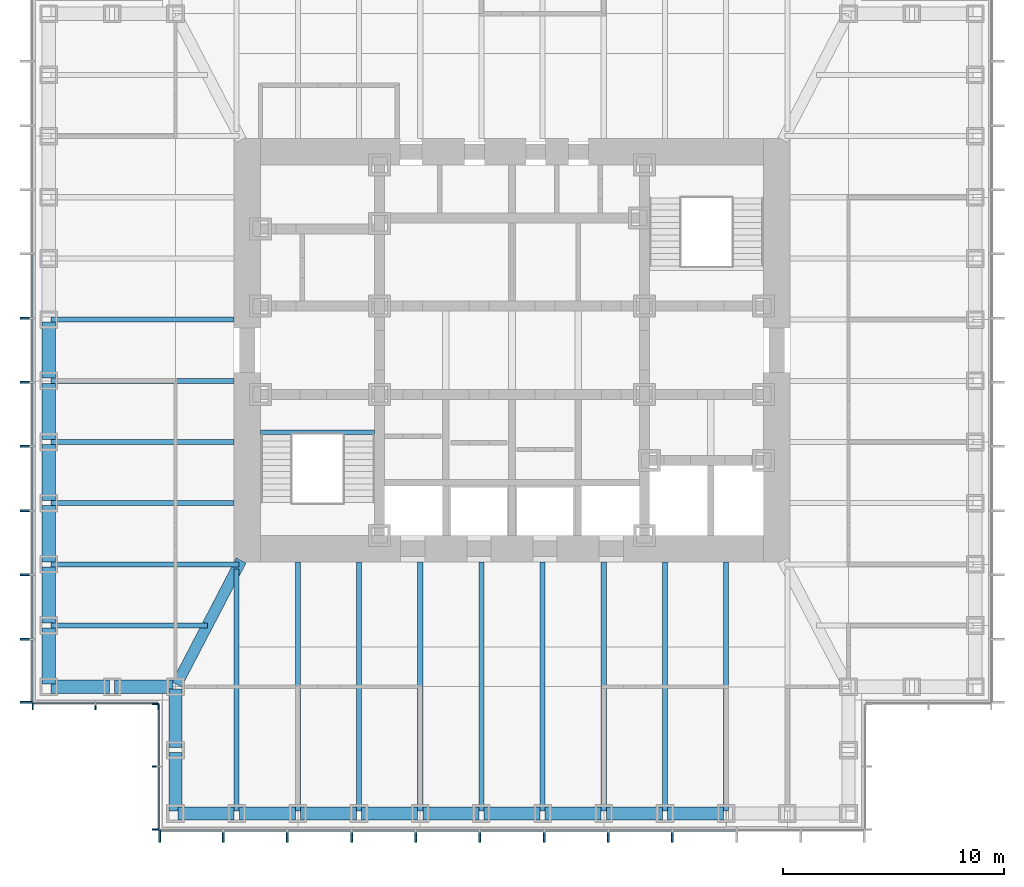
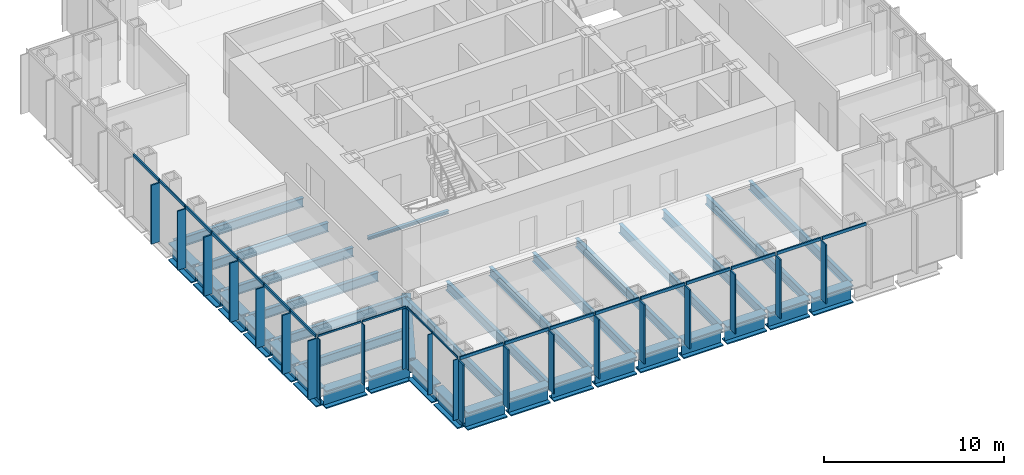
# One storey, part 2 of 16: 42 members, 36 beams, 4 elements without a shape of their own.
"""IFC4 building model written with IfcOpenShell, lengths in metres."""

from ifc_helpers import new_model, si_unit, direction, frame, origin, origin_2d, place, context, subcontext, project, spatial, rectangle, i_section, extrude, material, material_profile, profile_set, type_object, element, aggregate, save


model = new_model("IFC4")

# Units and contexts
model_context = context("Model", 3, precision=1e-05, world=origin(), true_north=direction((0.0, 1.0)))
body_context = subcontext(model_context, "Body", "Model", "MODEL_VIEW")
ifc_project = project(units=[si_unit("LENGTHUNIT", "METRE"), si_unit("AREAUNIT", "SQUARE_METRE"), si_unit("VOLUMEUNIT", "CUBIC_METRE"), si_unit("PLANEANGLEUNIT", "RADIAN"), si_unit("MASSUNIT", "GRAM", prefix="KILO")], contexts=[model_context])

# Site, building, storey
site_placement = place(None, origin())
site = spatial("IfcSite", under=ifc_project, at=site_placement, CompositionType="ELEMENT")
building_placement = place(site_placement, origin())
building = spatial("IfcBuilding", under=site, at=building_placement, Name="Daluyong Arena Tower", CompositionType="ELEMENT")
storey_placement = place(building_placement, frame((0.0, 0.0, 267.10009765625)))
storey = spatial("IfcBuildingStorey", under=building, at=storey_placement, Name="L60", CompositionType="ELEMENT", Elevation=267.10009765625)

# Curtain wall, members
ifc_material_1 = material(Name="Bronze anodised aluminium and glass", Category="aluminium")
curtain_wall_type_1 = type_object("IfcCurtainWallType", Name="Curtain wall CW4", PredefinedType="USERDEFINED", material=ifc_material_1)
curtain_wall_1_placement = place(storey_placement, origin())
curtain_wall_1 = element("IfcCurtainWall", 1, at=curtain_wall_1_placement, inside=storey, type_object=curtain_wall_type_1, Name="curtain wall L60 S", ObjectType="UNITISED CURTAIN WALL", PredefinedType="USERDEFINED")
ifc_material_2 = material(Name="Bronze anodised aluminium fin", Category="aluminium")
ifc_material_profile_1 = material_profile(ifc_material_2, rectangle(XDim=0.550048828125, YDim=0.090087890625, at=origin_2d()))
ifc_profile_set_1 = profile_set([ifc_material_profile_1], Name="Bronze anodised aluminium fin")
member_type_1 = type_object("IfcMemberType", Name="CW4 bronze fin 550x90", PredefinedType="MULLION", material=ifc_profile_set_1)
member_1_placement = place(storey_placement, frame((40.044921875, 57.97509765625, 0.0), z_axis=(0.0, 0.0, 1.0), x_axis=(0.0, 1.0, 0.0)))
member_1 = element("IfcMember", 2, at=member_1_placement, type_object=member_type_1, Name="curtain wall L60 S fin 1", PredefinedType="MULLION", context=body_context, shape_type="SweptSolid", body=[
    extrude(rectangle(XDim=0.550048828125, YDim=0.090087890625, at=origin_2d()), origin(), (0.0, 0.0, 1.0), 4.0),
])
member_2_placement = place(storey_placement, frame((42.9091796875, 57.97509765625, 0.0), z_axis=(0.0, 0.0, 1.0), x_axis=(0.0, 1.0, 0.0)))
member_2 = element("IfcMember", 3, at=member_2_placement, type_object=member_type_1, Name="curtain wall L60 S fin 2", PredefinedType="MULLION", context=body_context, shape_type="SweptSolid", body=[
    extrude(rectangle(XDim=0.550048828125, YDim=0.090087890625, at=origin_2d()), origin(), (0.0, 0.0, 1.0), 4.0),
])
member_3_placement = place(storey_placement, frame((45.818115234375, 57.97509765625, 0.0), z_axis=(0.0, 0.0, 1.0), x_axis=(0.0, 1.0, 0.0)))
member_3 = element("IfcMember", 4, at=member_3_placement, type_object=member_type_1, Name="curtain wall L60 S fin 3", PredefinedType="MULLION", context=body_context, shape_type="SweptSolid", body=[
    extrude(rectangle(XDim=0.550048828125, YDim=0.090087890625, at=origin_2d()), origin(), (0.0, 0.0, 1.0), 4.0),
])
member_4_placement = place(storey_placement, frame((48.727294921875, 57.97509765625, 0.0), z_axis=(0.0, 0.0, 1.0), x_axis=(0.0, 1.0, 0.0)))
member_4 = element("IfcMember", 5, at=member_4_placement, type_object=member_type_1, Name="curtain wall L60 S fin 4", PredefinedType="MULLION", context=body_context, shape_type="SweptSolid", body=[
    extrude(rectangle(XDim=0.550048828125, YDim=0.090087890625, at=origin_2d()), origin(), (0.0, 0.0, 1.0), 4.0),
])
member_5_placement = place(storey_placement, frame((51.636474609375, 57.97509765625, 0.0), z_axis=(0.0, 0.0, 1.0), x_axis=(0.0, 1.0, 0.0)))
member_5 = element("IfcMember", 6, at=member_5_placement, type_object=member_type_1, Name="curtain wall L60 S fin 5", PredefinedType="MULLION", context=body_context, shape_type="SweptSolid", body=[
    extrude(rectangle(XDim=0.550048828125, YDim=0.090087890625, at=origin_2d()), origin(), (0.0, 0.0, 1.0), 4.0),
])
member_6_placement = place(storey_placement, frame((54.54541015625, 57.97509765625, 0.0), z_axis=(0.0, 0.0, 1.0), x_axis=(0.0, 1.0, 0.0)))
member_6 = element("IfcMember", 7, at=member_6_placement, type_object=member_type_1, Name="curtain wall L60 S fin 6", PredefinedType="MULLION", context=body_context, shape_type="SweptSolid", body=[
    extrude(rectangle(XDim=0.550048828125, YDim=0.090087890625, at=origin_2d()), origin(), (0.0, 0.0, 1.0), 4.0),
])
member_7_placement = place(storey_placement, frame((57.45458984375, 57.97509765625, 0.0), z_axis=(0.0, 0.0, 1.0), x_axis=(0.0, 1.0, 0.0)))
member_7 = element("IfcMember", 8, at=member_7_placement, type_object=member_type_1, Name="curtain wall L60 S fin 7", PredefinedType="MULLION", context=body_context, shape_type="SweptSolid", body=[
    extrude(rectangle(XDim=0.550048828125, YDim=0.090087890625, at=origin_2d()), origin(), (0.0, 0.0, 1.0), 4.0),
])
member_8_placement = place(storey_placement, frame((60.363525390625, 57.97509765625, 0.0), z_axis=(0.0, 0.0, 1.0), x_axis=(0.0, 1.0, 0.0)))
member_8 = element("IfcMember", 9, at=member_8_placement, type_object=member_type_1, Name="curtain wall L60 S fin 8", PredefinedType="MULLION", context=body_context, shape_type="SweptSolid", body=[
    extrude(rectangle(XDim=0.550048828125, YDim=0.090087890625, at=origin_2d()), origin(), (0.0, 0.0, 1.0), 4.0),
])
member_9_placement = place(storey_placement, frame((63.272705078125, 57.97509765625, 0.0), z_axis=(0.0, 0.0, 1.0), x_axis=(0.0, 1.0, 0.0)))
member_9 = element("IfcMember", 10, at=member_9_placement, type_object=member_type_1, Name="curtain wall L60 S fin 9", PredefinedType="MULLION", context=body_context, shape_type="SweptSolid", body=[
    extrude(rectangle(XDim=0.550048828125, YDim=0.090087890625, at=origin_2d()), origin(), (0.0, 0.0, 1.0), 4.0),
])

curtain_wall_2_placement = place(storey_placement, origin())
curtain_wall_2 = element("IfcCurtainWall", 11, at=curtain_wall_2_placement, inside=storey, type_object=curtain_wall_type_1, Name="curtain wall L60 W", ObjectType="UNITISED CURTAIN WALL", PredefinedType="USERDEFINED")
member_10_placement = place(storey_placement, frame((33.97509765625, 81.45458984375, 0.0), z_axis=(0.0, 0.0, 1.0), x_axis=(1.0, 0.0, 0.0)))
member_10 = element("IfcMember", 12, at=member_10_placement, type_object=member_type_1, Name="curtain wall L60 W fin 6", PredefinedType="MULLION", context=body_context, shape_type="SweptSolid", body=[
    extrude(rectangle(XDim=0.550048828125, YDim=0.090087890625, at=origin_2d()), origin(), (0.0, 0.0, 1.0), 4.0),
])
member_11_placement = place(storey_placement, frame((33.97509765625, 78.54541015625, 0.0), z_axis=(0.0, 0.0, 1.0), x_axis=(1.0, 0.0, 0.0)))
member_11 = element("IfcMember", 13, at=member_11_placement, type_object=member_type_1, Name="curtain wall L60 W fin 7", PredefinedType="MULLION", context=body_context, shape_type="SweptSolid", body=[
    extrude(rectangle(XDim=0.550048828125, YDim=0.090087890625, at=origin_2d()), origin(), (0.0, 0.0, 1.0), 4.0),
])
member_12_placement = place(storey_placement, frame((33.97509765625, 75.636474609375, 0.0), z_axis=(0.0, 0.0, 1.0), x_axis=(1.0, 0.0, 0.0)))
member_12 = element("IfcMember", 14, at=member_12_placement, type_object=member_type_1, Name="curtain wall L60 W fin 8", PredefinedType="MULLION", context=body_context, shape_type="SweptSolid", body=[
    extrude(rectangle(XDim=0.550048828125, YDim=0.090087890625, at=origin_2d()), origin(), (0.0, 0.0, 1.0), 4.0),
])
member_13_placement = place(storey_placement, frame((33.97509765625, 72.727294921875, 0.0), z_axis=(0.0, 0.0, 1.0), x_axis=(1.0, 0.0, 0.0)))
member_13 = element("IfcMember", 15, at=member_13_placement, type_object=member_type_1, Name="curtain wall L60 W fin 9", PredefinedType="MULLION", context=body_context, shape_type="SweptSolid", body=[
    extrude(rectangle(XDim=0.550048828125, YDim=0.090087890625, at=origin_2d()), origin(), (0.0, 0.0, 1.0), 4.0),
])
member_14_placement = place(storey_placement, frame((33.97509765625, 69.818115234375, 0.0), z_axis=(0.0, 0.0, 1.0), x_axis=(1.0, 0.0, 0.0)))
member_14 = element("IfcMember", 16, at=member_14_placement, type_object=member_type_1, Name="curtain wall L60 W fin 10", PredefinedType="MULLION", context=body_context, shape_type="SweptSolid", body=[
    extrude(rectangle(XDim=0.550048828125, YDim=0.090087890625, at=origin_2d()), origin(), (0.0, 0.0, 1.0), 4.0),
])
member_15_placement = place(storey_placement, frame((33.97509765625, 66.9091796875, 0.0), z_axis=(0.0, 0.0, 1.0), x_axis=(1.0, 0.0, 0.0)))
member_15 = element("IfcMember", 17, at=member_15_placement, type_object=member_type_1, Name="curtain wall L60 W fin 11", PredefinedType="MULLION", context=body_context, shape_type="SweptSolid", body=[
    extrude(rectangle(XDim=0.550048828125, YDim=0.090087890625, at=origin_2d()), origin(), (0.0, 0.0, 1.0), 4.0),
])
member_16_placement = place(storey_placement, frame((33.97509765625, 64.044921875, 0.0), z_axis=(0.0, 0.0, 1.0), x_axis=(1.0, 0.0, 0.0)))
member_16 = element("IfcMember", 18, at=member_16_placement, type_object=member_type_1, Name="curtain wall L60 W fin 12", PredefinedType="MULLION", context=body_context, shape_type="SweptSolid", body=[
    extrude(rectangle(XDim=0.550048828125, YDim=0.090087890625, at=origin_2d()), origin(), (0.0, 0.0, 1.0), 4.0),
])

# Member
ifc_material_3 = material(Name="Bronze anodised aluminium", Category="aluminium")
ifc_material_profile_2 = material_profile(ifc_material_3, rectangle(XDim=0.090087890625, YDim=0.199951171875, at=origin_2d()))
ifc_profile_set_2 = profile_set([ifc_material_profile_2], Name="Bronze anodised aluminium")
member_type_2 = type_object("IfcMemberType", Name="CW4 stack transom 200x90", PredefinedType="USERDEFINED", material=ifc_profile_set_2)
member_17_placement = place(storey_placement, frame((40.090087890625, 58.25, 4.099853515625), z_axis=(1.0, 0.0, 0.0), x_axis=(0.0, 1.0, 0.0)))
member_17 = element("IfcMember", 19, at=member_17_placement, type_object=member_type_2, Name="curtain wall L60 S transom 1", ObjectType="TRANSOM", PredefinedType="USERDEFINED", context=body_context, shape_type="SweptSolid", body=[
    extrude(rectangle(XDim=0.090087890625, YDim=0.199951171875, at=origin_2d()), origin(), (0.0, 0.0, 1.0), 2.77392578125),
])

member_18_placement = place(storey_placement, frame((42.9541015625, 58.25, 4.099853515625), z_axis=(1.0, 0.0, 0.0), x_axis=(0.0, 1.0, 0.0)))
member_18 = element("IfcMember", 20, at=member_18_placement, type_object=member_type_2, Name="curtain wall L60 S transom 2", ObjectType="TRANSOM", PredefinedType="USERDEFINED", context=body_context, shape_type="SweptSolid", body=[
    extrude(rectangle(XDim=0.090087890625, YDim=0.199951171875, at=origin_2d()), origin(), (0.0, 0.0, 1.0), 2.819091796875),
])

member_19_placement = place(storey_placement, frame((45.86328125, 58.25, 4.099853515625), z_axis=(1.0, 0.0, 0.0), x_axis=(0.0, 1.0, 0.0)))
member_19 = element("IfcMember", 21, at=member_19_placement, type_object=member_type_2, Name="curtain wall L60 S transom 3", ObjectType="TRANSOM", PredefinedType="USERDEFINED", context=body_context, shape_type="SweptSolid", body=[
    extrude(rectangle(XDim=0.090087890625, YDim=0.199951171875, at=origin_2d()), origin(), (0.0, 0.0, 1.0), 2.819091796875),
])

member_20_placement = place(storey_placement, frame((48.772216796875, 58.25, 4.099853515625), z_axis=(1.0, 0.0, 0.0), x_axis=(0.0, 1.0, 0.0)))
member_20 = element("IfcMember", 22, at=member_20_placement, type_object=member_type_2, Name="curtain wall L60 S transom 4", ObjectType="TRANSOM", PredefinedType="USERDEFINED", context=body_context, shape_type="SweptSolid", body=[
    extrude(rectangle(XDim=0.090087890625, YDim=0.199951171875, at=origin_2d()), origin(), (0.0, 0.0, 1.0), 2.819091796875),
])

member_21_placement = place(storey_placement, frame((51.681396484375, 58.25, 4.099853515625), z_axis=(1.0, 0.0, 0.0), x_axis=(0.0, 1.0, 0.0)))
member_21 = element("IfcMember", 23, at=member_21_placement, type_object=member_type_2, Name="curtain wall L60 S transom 5", ObjectType="TRANSOM", PredefinedType="USERDEFINED", context=body_context, shape_type="SweptSolid", body=[
    extrude(rectangle(XDim=0.090087890625, YDim=0.199951171875, at=origin_2d()), origin(), (0.0, 0.0, 1.0), 2.819091796875),
])

member_22_placement = place(storey_placement, frame((54.590576171875, 58.25, 4.099853515625), z_axis=(1.0, 0.0, 0.0), x_axis=(0.0, 1.0, 0.0)))
member_22 = element("IfcMember", 24, at=member_22_placement, type_object=member_type_2, Name="curtain wall L60 S transom 6", ObjectType="TRANSOM", PredefinedType="USERDEFINED", context=body_context, shape_type="SweptSolid", body=[
    extrude(rectangle(XDim=0.090087890625, YDim=0.199951171875, at=origin_2d()), origin(), (0.0, 0.0, 1.0), 2.81884765625),
])

member_23_placement = place(storey_placement, frame((57.49951171875, 58.25, 4.099853515625), z_axis=(1.0, 0.0, 0.0), x_axis=(0.0, 1.0, 0.0)))
member_23 = element("IfcMember", 25, at=member_23_placement, type_object=member_type_2, Name="curtain wall L60 S transom 7", ObjectType="TRANSOM", PredefinedType="USERDEFINED", context=body_context, shape_type="SweptSolid", body=[
    extrude(rectangle(XDim=0.090087890625, YDim=0.199951171875, at=origin_2d()), origin(), (0.0, 0.0, 1.0), 2.819091796875),
])

member_24_placement = place(storey_placement, frame((60.40869140625, 58.25, 4.099853515625), z_axis=(1.0, 0.0, 0.0), x_axis=(0.0, 1.0, 0.0)))
member_24 = element("IfcMember", 26, at=member_24_placement, type_object=member_type_2, Name="curtain wall L60 S transom 8", ObjectType="TRANSOM", PredefinedType="USERDEFINED", context=body_context, shape_type="SweptSolid", body=[
    extrude(rectangle(XDim=0.090087890625, YDim=0.199951171875, at=origin_2d()), origin(), (0.0, 0.0, 1.0), 2.819091796875),
])

member_25_placement = place(storey_placement, frame((63.317626953125, 58.25, 4.099853515625), z_axis=(1.0, 0.0, 0.0), x_axis=(0.0, 1.0, 0.0)))
member_25 = element("IfcMember", 27, at=member_25_placement, type_object=member_type_2, Name="curtain wall L60 S transom 9", ObjectType="TRANSOM", PredefinedType="USERDEFINED", context=body_context, shape_type="SweptSolid", body=[
    extrude(rectangle(XDim=0.090087890625, YDim=0.199951171875, at=origin_2d()), origin(), (0.0, 0.0, 1.0), 2.819091796875),
])

aggregate(curtain_wall_1, [member_1, member_2, member_3, member_4, member_5, member_6, member_7, member_8, member_9, member_17, member_18, member_19, member_20, member_21, member_22, member_23, member_24, member_25])

member_26_placement = place(storey_placement, frame((34.25, 84.318603515625, 4.099853515625), z_axis=(0.0, -1.0, 0.0), x_axis=(1.0, 0.0, 0.0)))
member_26 = element("IfcMember", 28, at=member_26_placement, type_object=member_type_2, Name="curtain wall L60 W transom 5", ObjectType="TRANSOM", PredefinedType="USERDEFINED", context=body_context, shape_type="SweptSolid", body=[
    extrude(rectangle(XDim=0.090087890625, YDim=0.199951171875, at=origin_2d()), origin(), (0.0, 0.0, 1.0), 2.819091796875),
])

member_27_placement = place(storey_placement, frame((34.25, 81.409423828125, 4.099853515625), z_axis=(0.0, -1.0, 0.0), x_axis=(1.0, 0.0, 0.0)))
member_27 = element("IfcMember", 29, at=member_27_placement, type_object=member_type_2, Name="curtain wall L60 W transom 6", ObjectType="TRANSOM", PredefinedType="USERDEFINED", context=body_context, shape_type="SweptSolid", body=[
    extrude(rectangle(XDim=0.090087890625, YDim=0.199951171875, at=origin_2d()), origin(), (0.0, 0.0, 1.0), 2.81884765625),
])

member_28_placement = place(storey_placement, frame((34.25, 78.50048828125, 4.099853515625), z_axis=(0.0, -1.0, 0.0), x_axis=(1.0, 0.0, 0.0)))
member_28 = element("IfcMember", 30, at=member_28_placement, type_object=member_type_2, Name="curtain wall L60 W transom 7", ObjectType="TRANSOM", PredefinedType="USERDEFINED", context=body_context, shape_type="SweptSolid", body=[
    extrude(rectangle(XDim=0.090087890625, YDim=0.199951171875, at=origin_2d()), origin(), (0.0, 0.0, 1.0), 2.819091796875),
])

member_29_placement = place(storey_placement, frame((34.25, 75.59130859375, 4.099853515625), z_axis=(0.0, -1.0, 0.0), x_axis=(1.0, 0.0, 0.0)))
member_29 = element("IfcMember", 31, at=member_29_placement, type_object=member_type_2, Name="curtain wall L60 W transom 8", ObjectType="TRANSOM", PredefinedType="USERDEFINED", context=body_context, shape_type="SweptSolid", body=[
    extrude(rectangle(XDim=0.090087890625, YDim=0.199951171875, at=origin_2d()), origin(), (0.0, 0.0, 1.0), 2.819091796875),
])

member_30_placement = place(storey_placement, frame((34.25, 72.682373046875, 4.099853515625), z_axis=(0.0, -1.0, 0.0), x_axis=(1.0, 0.0, 0.0)))
member_30 = element("IfcMember", 32, at=member_30_placement, type_object=member_type_2, Name="curtain wall L60 W transom 9", ObjectType="TRANSOM", PredefinedType="USERDEFINED", context=body_context, shape_type="SweptSolid", body=[
    extrude(rectangle(XDim=0.090087890625, YDim=0.199951171875, at=origin_2d()), origin(), (0.0, 0.0, 1.0), 2.819091796875),
])

member_31_placement = place(storey_placement, frame((34.25, 69.773193359375, 4.099853515625), z_axis=(0.0, -1.0, 0.0), x_axis=(1.0, 0.0, 0.0)))
member_31 = element("IfcMember", 33, at=member_31_placement, type_object=member_type_2, Name="curtain wall L60 W transom 10", ObjectType="TRANSOM", PredefinedType="USERDEFINED", context=body_context, shape_type="SweptSolid", body=[
    extrude(rectangle(XDim=0.090087890625, YDim=0.199951171875, at=origin_2d()), origin(), (0.0, 0.0, 1.0), 2.819091796875),
])

member_32_placement = place(storey_placement, frame((34.25, 66.864013671875, 4.099853515625), z_axis=(0.0, -1.0, 0.0), x_axis=(1.0, 0.0, 0.0)))
member_32 = element("IfcMember", 34, at=member_32_placement, type_object=member_type_2, Name="curtain wall L60 W transom 11", ObjectType="TRANSOM", PredefinedType="USERDEFINED", context=body_context, shape_type="SweptSolid", body=[
    extrude(rectangle(XDim=0.090087890625, YDim=0.199951171875, at=origin_2d()), origin(), (0.0, 0.0, 1.0), 2.77392578125),
])

aggregate(curtain_wall_2, [member_10, member_11, member_12, member_13, member_14, member_15, member_16, member_26, member_27, member_28, member_29, member_30, member_31, member_32])

# Curtain wall, members
ifc_material_4 = material(Name="Bronze anodised aluminium and glass", Category="aluminium")
curtain_wall_type_2 = type_object("IfcCurtainWallType", Name="Curtain wall CW7", PredefinedType="USERDEFINED", material=ifc_material_4)
curtain_wall_3_placement = place(storey_placement, origin())
curtain_wall_3 = element("IfcCurtainWall", 35, at=curtain_wall_3_placement, inside=storey, type_object=curtain_wall_type_2, Name="curtain wall L60 SW-S", ObjectType="UNITISED CURTAIN WALL", PredefinedType="USERDEFINED")
ifc_material_5 = material(Name="Bronze anodised aluminium fin", Category="aluminium")
ifc_material_profile_3 = material_profile(ifc_material_5, rectangle(XDim=0.300048828125, YDim=0.06005859375, at=origin_2d()))
ifc_profile_set_3 = profile_set([ifc_material_profile_3], Name="Bronze anodised aluminium fin")
member_type_3 = type_object("IfcMemberType", Name="CW7 bronze fin 300x60", PredefinedType="MULLION", material=ifc_profile_set_3)
member_33_placement = place(storey_placement, frame((34.280029296875, 63.85009765625, 0.0), z_axis=(0.0, 0.0, 1.0), x_axis=(0.0, 1.0, 0.0)))
member_33 = element("IfcMember", 36, at=member_33_placement, type_object=member_type_3, Name="curtain wall L60 SW-S fin 1", PredefinedType="MULLION", context=body_context, shape_type="SweptSolid", body=[
    extrude(rectangle(XDim=0.300048828125, YDim=0.06005859375, at=origin_2d()), origin(), (0.0, 0.0, 1.0), 4.079833984375),
])
member_34_placement = place(storey_placement, frame((37.125, 63.85009765625, 0.0), z_axis=(0.0, 0.0, 1.0), x_axis=(0.0, 1.0, 0.0)))
member_34 = element("IfcMember", 37, at=member_34_placement, type_object=member_type_3, Name="curtain wall L60 SW-S fin 2", PredefinedType="MULLION", context=body_context, shape_type="SweptSolid", body=[
    extrude(rectangle(XDim=0.300048828125, YDim=0.06005859375, at=origin_2d()), origin(), (0.0, 0.0, 1.0), 4.079833984375),
])
member_35_placement = place(storey_placement, frame((39.969970703125, 63.85009765625, 0.0), z_axis=(0.0, 0.0, 1.0), x_axis=(0.0, 1.0, 0.0)))
member_35 = element("IfcMember", 38, at=member_35_placement, type_object=member_type_3, Name="curtain wall L60 SW-S fin 3", PredefinedType="MULLION", context=body_context, shape_type="SweptSolid", body=[
    extrude(rectangle(XDim=0.300048828125, YDim=0.06005859375, at=origin_2d()), origin(), (0.0, 0.0, 1.0), 4.079833984375),
])

curtain_wall_4_placement = place(storey_placement, origin())
curtain_wall_4 = element("IfcCurtainWall", 39, at=curtain_wall_4_placement, inside=storey, type_object=curtain_wall_type_2, Name="curtain wall L60 SW-W", ObjectType="UNITISED CURTAIN WALL", PredefinedType="USERDEFINED")
member_36_placement = place(storey_placement, frame((39.85009765625, 63.969970703125, 0.0), z_axis=(0.0, 0.0, 1.0), x_axis=(1.0, 0.0, 0.0)))
member_36 = element("IfcMember", 40, at=member_36_placement, type_object=member_type_3, Name="curtain wall L60 SW-W fin 1", PredefinedType="MULLION", context=body_context, shape_type="SweptSolid", body=[
    extrude(rectangle(XDim=0.300048828125, YDim=0.06005859375, at=origin_2d()), origin(), (0.0, 0.0, 1.0), 4.079833984375),
])
member_37_placement = place(storey_placement, frame((39.85009765625, 61.125, 0.0), z_axis=(0.0, 0.0, 1.0), x_axis=(1.0, 0.0, 0.0)))
member_37 = element("IfcMember", 41, at=member_37_placement, type_object=member_type_3, Name="curtain wall L60 SW-W fin 2", PredefinedType="MULLION", context=body_context, shape_type="SweptSolid", body=[
    extrude(rectangle(XDim=0.300048828125, YDim=0.06005859375, at=origin_2d()), origin(), (0.0, 0.0, 1.0), 4.079833984375),
])
member_38_placement = place(storey_placement, frame((39.85009765625, 58.280029296875, 0.0), z_axis=(0.0, 0.0, 1.0), x_axis=(1.0, 0.0, 0.0)))
member_38 = element("IfcMember", 42, at=member_38_placement, type_object=member_type_3, Name="curtain wall L60 SW-W fin 3", PredefinedType="MULLION", context=body_context, shape_type="SweptSolid", body=[
    extrude(rectangle(XDim=0.300048828125, YDim=0.06005859375, at=origin_2d()), origin(), (0.0, 0.0, 1.0), 4.079833984375),
])

# Member
ifc_material_6 = material(Name="Bronze anodised aluminium", Category="aluminium")
ifc_material_profile_4 = material_profile(ifc_material_6, rectangle(XDim=0.06005859375, YDim=0.1201171875, at=origin_2d()))
ifc_profile_set_4 = profile_set([ifc_material_profile_4], Name="Bronze anodised aluminium")
member_type_4 = type_object("IfcMemberType", Name="CW7 stack transom 120x60", PredefinedType="USERDEFINED", material=ifc_profile_set_4)
member_39_placement = place(storey_placement, frame((34.31005859375, 64.0, 4.139892578125), z_axis=(1.0, 0.0, 0.0), x_axis=(0.0, 1.0, 0.0)))
member_39 = element("IfcMember", 43, at=member_39_placement, type_object=member_type_4, Name="curtain wall L60 SW-S transom 1", ObjectType="TRANSOM", PredefinedType="USERDEFINED", context=body_context, shape_type="SweptSolid", body=[
    extrude(rectangle(XDim=0.06005859375, YDim=0.1201171875, at=origin_2d()), origin(), (0.0, 0.0, 1.0), 2.784912109375),
])

member_40_placement = place(storey_placement, frame((37.155029296875, 64.0, 4.139892578125), z_axis=(1.0, 0.0, 0.0), x_axis=(0.0, 1.0, 0.0)))
member_40 = element("IfcMember", 44, at=member_40_placement, type_object=member_type_4, Name="curtain wall L60 SW-S transom 2", ObjectType="TRANSOM", PredefinedType="USERDEFINED", context=body_context, shape_type="SweptSolid", body=[
    extrude(rectangle(XDim=0.06005859375, YDim=0.1201171875, at=origin_2d()), origin(), (0.0, 0.0, 1.0), 2.784912109375),
])

aggregate(curtain_wall_3, [member_33, member_34, member_35, member_39, member_40])

member_41_placement = place(storey_placement, frame((40.0, 63.93994140625, 4.139892578125), z_axis=(0.0, -1.0, 0.0), x_axis=(1.0, 0.0, 0.0)))
member_41 = element("IfcMember", 45, at=member_41_placement, type_object=member_type_4, Name="curtain wall L60 SW-W transom 1", ObjectType="TRANSOM", PredefinedType="USERDEFINED", context=body_context, shape_type="SweptSolid", body=[
    extrude(rectangle(XDim=0.06005859375, YDim=0.1201171875, at=origin_2d()), origin(), (0.0, 0.0, 1.0), 2.784912109375),
])

member_42_placement = place(storey_placement, frame((40.0, 61.094970703125, 4.139892578125), z_axis=(0.0, -1.0, 0.0), x_axis=(1.0, 0.0, 0.0)))
member_42 = element("IfcMember", 46, at=member_42_placement, type_object=member_type_4, Name="curtain wall L60 SW-W transom 2", ObjectType="TRANSOM", PredefinedType="USERDEFINED", context=body_context, shape_type="SweptSolid", body=[
    extrude(rectangle(XDim=0.06005859375, YDim=0.1201171875, at=origin_2d()), origin(), (0.0, 0.0, 1.0), 2.784912109375),
])

aggregate(curtain_wall_4, [member_36, member_37, member_38, member_41, member_42])

# Beams
ifc_material_7 = material(Name="Steel ASTM A572 Grade 50", Category="steel")
ifc_material_profile_5 = material_profile(ifc_material_7, i_section(OverallWidth=0.5, OverallDepth=1.0, WebThickness=0.03, FlangeThickness=0.06, at=origin_2d()))
ifc_profile_set_5 = profile_set([ifc_material_profile_5], Name="Steel ASTM A572 Grade 50")
beam_type_1 = type_object("IfcBeamType", Name="Corner girder TB1000X500", PredefinedType="BEAM", material=ifc_profile_set_5)
beam_1_placement = place(storey_placement, frame((40.802978515625, 64.85205078125, -0.66015625), z_axis=(0.461351522179, 0.887217432754, 0.0), x_axis=(-0.887217432754, 0.461351522179, 0.0)))
element("IfcBeam", 47, at=beam_1_placement, inside=storey, type_object=beam_type_1, Name="corner girder DG2", PredefinedType="BEAM", context=body_context, shape_type="SweptSolid", body=[
    extrude(i_section(OverallWidth=0.5, OverallDepth=1.0, WebThickness=0.03, FlangeThickness=0.06, at=origin_2d()), origin(), (0.0, 0.0, 1.0), 6.32958984375),
])
ifc_material_8 = material(Name="Steel ASTM A992 Grade 50", Category="steel")
ifc_material_profile_6 = material_profile(ifc_material_8, i_section(OverallWidth=0.22900390625, OverallDepth=0.612060546875, WebThickness=0.011962890625, FlangeThickness=0.01953125, at=origin_2d()))
ifc_profile_set_6 = profile_set([ifc_material_profile_6], Name="Steel ASTM A992 Grade 50")
beam_type_2 = type_object("IfcBeamType", Name="Floor beam W24X84", PredefinedType="BEAM", material=ifc_profile_set_6)
beam_2_placement = place(storey_placement, frame((43.522705078125, 59.114990234375, -0.466064453125), z_axis=(0.0, 1.0, 0.0), x_axis=(-1.0, 0.0, 0.0)))
element("IfcBeam", 48, at=beam_2_placement, inside=storey, type_object=beam_type_2, Name="floor beam FB3", PredefinedType="BEAM", context=body_context, shape_type="SweptSolid", body=[
    extrude(i_section(OverallWidth=0.22900390625, OverallDepth=0.612060546875, WebThickness=0.011962890625, FlangeThickness=0.01953125, at=origin_2d()), origin(), (0.0, 0.0, 1.0), 10.96728515625),
])
for number, where, z_axis, x_axis, name in (
    (49, (46.29541015625, 59.114990234375, -0.466064453125), (0.0, 1.0, 0.0), (-1.0, 0.0, 0.0), "floor beam FB3"),
    (50, (49.068115234375, 59.114990234375, -0.466064453125), (0.0, 1.0, 0.0), (-1.0, 0.0, 0.0), "floor beam FB3"),
    (51, (51.8408203125, 59.114990234375, -0.466064453125), (0.0, 1.0, 0.0), (-1.0, 0.0, 0.0), "floor beam FB3"),
    (52, (54.613525390625, 59.114990234375, -0.466064453125), (0.0, 1.0, 0.0), (-1.0, 0.0, 0.0), "floor beam FB3"),
    (53, (57.386474609375, 59.114990234375, -0.466064453125), (0.0, 1.0, 0.0), (-1.0, 0.0, 0.0), "floor beam FB3"),
    (54, (60.1591796875, 59.114990234375, -0.466064453125), (0.0, 1.0, 0.0), (-1.0, 0.0, 0.0), "floor beam FB3"),
    (55, (62.931884765625, 59.114990234375, -0.466064453125), (0.0, 1.0, 0.0), (-1.0, 0.0, 0.0), "floor beam FB3"),
    (56, (65.70458984375, 59.114990234375, -0.466064453125), (0.0, 1.0, 0.0), (-1.0, 0.0, 0.0), "floor beam FB3"),
):
    element("IfcBeam", number, at=place(storey_placement, frame(where, z_axis=z_axis, x_axis=x_axis)), inside=storey, type_object=beam_type_2, Name=name, PredefinedType="BEAM", context=body_context, shape_type="SweptSolid", body=[
        extrude(i_section(OverallWidth=0.22900390625, OverallDepth=0.612060546875, WebThickness=0.011962890625, FlangeThickness=0.01953125, at=origin_2d()), origin(), (0.0, 0.0, 1.0), 11.284912109375),
    ])
for number, where, z_axis, x_axis, name in (
    (57, (35.114990234375, 81.386474609375, -0.466064453125), (1.0, 0.0, 0.0), (0.0, 1.0, 0.0), "floor beam FB3"),
    (58, (35.114990234375, 78.613525390625, -0.466064453125), (1.0, 0.0, 0.0), (0.0, 1.0, 0.0), "floor beam FB3"),
    (59, (35.114990234375, 75.8408203125, -0.466064453125), (1.0, 0.0, 0.0), (0.0, 1.0, 0.0), "floor beam FB3"),
    (60, (35.114990234375, 73.068115234375, -0.466064453125), (1.0, 0.0, 0.0), (0.0, 1.0, 0.0), "floor beam FB3"),
):
    element("IfcBeam", number, at=place(storey_placement, frame(where, z_axis=z_axis, x_axis=x_axis)), inside=storey, type_object=beam_type_2, Name=name, PredefinedType="BEAM", context=body_context, shape_type="SweptSolid", body=[
        extrude(i_section(OverallWidth=0.22900390625, OverallDepth=0.612060546875, WebThickness=0.011962890625, FlangeThickness=0.01953125, at=origin_2d()), origin(), (0.0, 0.0, 1.0), 8.284912109375),
    ])
beam_3_placement = place(storey_placement, frame((35.114990234375, 70.29541015625, -0.466064453125), z_axis=(1.0, 0.0, 0.0), x_axis=(0.0, 1.0, 0.0)))
element("IfcBeam", 61, at=beam_3_placement, inside=storey, type_object=beam_type_2, Name="floor beam FB3", PredefinedType="BEAM", context=body_context, shape_type="SweptSolid", body=[
    extrude(i_section(OverallWidth=0.22900390625, OverallDepth=0.612060546875, WebThickness=0.011962890625, FlangeThickness=0.01953125, at=origin_2d()), origin(), (0.0, 0.0, 1.0), 8.5185546875),
])
beam_4_placement = place(storey_placement, frame((35.114990234375, 67.522705078125, -0.466064453125), z_axis=(1.0, 0.0, 0.0), x_axis=(0.0, 1.0, 0.0)))
element("IfcBeam", 62, at=beam_4_placement, inside=storey, type_object=beam_type_2, Name="floor beam FB3", PredefinedType="BEAM", context=body_context, shape_type="SweptSolid", body=[
    extrude(i_section(OverallWidth=0.22900390625, OverallDepth=0.612060546875, WebThickness=0.011962890625, FlangeThickness=0.01953125, at=origin_2d()), origin(), (0.0, 0.0, 1.0), 7.076904296875),
])
ifc_material_9 = material(Name="Steel ASTM A572 Grade 50", Category="steel")
ifc_material_profile_7 = material_profile(ifc_material_9, i_section(OverallWidth=0.60009765625, OverallDepth=1.199951171875, WebThickness=0.03, FlangeThickness=0.08, at=origin_2d()))
ifc_profile_set_7 = profile_set([ifc_material_profile_7], Name="Steel ASTM A572 Grade 50")
beam_type_3 = type_object("IfcBeamType", Name="Spandrel Z4 PG1200X600", PredefinedType="SPANDREL", material=ifc_profile_set_7)
for number, where, z_axis, x_axis, name in (
    (63, (40.864990234375, 59.0, -0.760009765625), (1.0, 0.0, 0.0), (0.0, 1.0, 0.0), "spandrel z4 SB9"),
    (64, (43.6376953125, 59.0, -0.760009765625), (1.0, 0.0, 0.0), (0.0, 1.0, 0.0), "spandrel z4 SB9"),
    (65, (46.410400390625, 59.0, -0.760009765625), (1.0, 0.0, 0.0), (0.0, 1.0, 0.0), "spandrel z4 SB9"),
    (66, (49.18310546875, 59.0, -0.760009765625), (1.0, 0.0, 0.0), (0.0, 1.0, 0.0), "spandrel z4 SB9"),
    (67, (51.955810546875, 59.0, -0.760009765625), (1.0, 0.0, 0.0), (0.0, 1.0, 0.0), "spandrel z4 SB9"),
):
    element("IfcBeam", number, at=place(storey_placement, frame(where, z_axis=z_axis, x_axis=x_axis)), inside=storey, type_object=beam_type_3, Name=name, PredefinedType="SPANDREL", context=body_context, shape_type="SweptSolid", body=[
        extrude(i_section(OverallWidth=0.60009765625, OverallDepth=1.199951171875, WebThickness=0.03, FlangeThickness=0.08, at=origin_2d()), origin(), (0.0, 0.0, 1.0), 2.542724609375),
    ])
beam_5_placement = place(storey_placement, frame((54.728515625, 59.0, -0.760009765625), z_axis=(1.0, 0.0, 0.0), x_axis=(0.0, 1.0, 0.0)))
element("IfcBeam", 68, at=beam_5_placement, inside=storey, type_object=beam_type_3, Name="spandrel z4 SB9", PredefinedType="SPANDREL", context=body_context, shape_type="SweptSolid", body=[
    extrude(i_section(OverallWidth=0.60009765625, OverallDepth=1.199951171875, WebThickness=0.03, FlangeThickness=0.08, at=origin_2d()), origin(), (0.0, 0.0, 1.0), 2.54296875),
])
for number, where, z_axis, x_axis, name in (
    (69, (57.50146484375, 59.0, -0.760009765625), (1.0, 0.0, 0.0), (0.0, 1.0, 0.0), "spandrel z4 SB9"),
    (70, (60.274169921875, 59.0, -0.760009765625), (1.0, 0.0, 0.0), (0.0, 1.0, 0.0), "spandrel z4 SB9"),
    (71, (63.046875, 59.0, -0.760009765625), (1.0, 0.0, 0.0), (0.0, 1.0, 0.0), "spandrel z4 SB9"),
):
    element("IfcBeam", number, at=place(storey_placement, frame(where, z_axis=z_axis, x_axis=x_axis)), inside=storey, type_object=beam_type_3, Name=name, PredefinedType="SPANDREL", context=body_context, shape_type="SweptSolid", body=[
        extrude(i_section(OverallWidth=0.60009765625, OverallDepth=1.199951171875, WebThickness=0.03, FlangeThickness=0.08, at=origin_2d()), origin(), (0.0, 0.0, 1.0), 2.542724609375),
    ])
beam_6_placement = place(storey_placement, frame((35.0, 81.271484375, -0.760009765625), z_axis=(0.0, -1.0, 0.0), x_axis=(1.0, 0.0, 0.0)))
element("IfcBeam", 72, at=beam_6_placement, inside=storey, type_object=beam_type_3, Name="spandrel z4 SB9", PredefinedType="SPANDREL", context=body_context, shape_type="SweptSolid", body=[
    extrude(i_section(OverallWidth=0.60009765625, OverallDepth=1.199951171875, WebThickness=0.03, FlangeThickness=0.08, at=origin_2d()), origin(), (0.0, 0.0, 1.0), 2.54296875),
])
for number, where, z_axis, x_axis, name in (
    (73, (35.0, 78.49853515625, -0.760009765625), (0.0, -1.0, 0.0), (1.0, 0.0, 0.0), "spandrel z4 SB9"),
    (74, (35.0, 75.725830078125, -0.760009765625), (0.0, -1.0, 0.0), (1.0, 0.0, 0.0), "spandrel z4 SB9"),
    (75, (35.0, 72.953125, -0.760009765625), (0.0, -1.0, 0.0), (1.0, 0.0, 0.0), "spandrel z4 SB9"),
    (76, (35.0, 70.180419921875, -0.760009765625), (0.0, -1.0, 0.0), (1.0, 0.0, 0.0), "spandrel z4 SB9"),
    (77, (35.0, 67.40771484375, -0.760009765625), (0.0, -1.0, 0.0), (1.0, 0.0, 0.0), "spandrel z4 SB9"),
):
    element("IfcBeam", number, at=place(storey_placement, frame(where, z_axis=z_axis, x_axis=x_axis)), inside=storey, type_object=beam_type_3, Name=name, PredefinedType="SPANDREL", context=body_context, shape_type="SweptSolid", body=[
        extrude(i_section(OverallWidth=0.60009765625, OverallDepth=1.199951171875, WebThickness=0.03, FlangeThickness=0.08, at=origin_2d()), origin(), (0.0, 0.0, 1.0), 2.542724609375),
    ])
for number, where, z_axis, x_axis, name in (
    (78, (35.114990234375, 64.75, -0.760009765625), (1.0, 0.0, 0.0), (0.0, 1.0, 0.0), "spandrel z4 SB9"),
    (79, (37.989990234375, 64.75, -0.760009765625), (1.0, 0.0, 0.0), (0.0, 1.0, 0.0), "spandrel z4 SB9"),
    (80, (40.75, 64.635009765625, -0.760009765625), (0.0, -1.0, 0.0), (1.0, 0.0, 0.0), "spandrel z4 SB9"),
    (81, (40.75, 61.760009765625, -0.760009765625), (0.0, -1.0, 0.0), (1.0, 0.0, 0.0), "spandrel z4 SB9"),
):
    element("IfcBeam", number, at=place(storey_placement, frame(where, z_axis=z_axis, x_axis=x_axis)), inside=storey, type_object=beam_type_3, Name=name, PredefinedType="SPANDREL", context=body_context, shape_type="SweptSolid", body=[
        extrude(i_section(OverallWidth=0.60009765625, OverallDepth=1.199951171875, WebThickness=0.03, FlangeThickness=0.08, at=origin_2d()), origin(), (0.0, 0.0, 1.0), 2.64501953125),
    ])
ifc_material_10 = material(Name="Steel ASTM A992 Grade 50", Category="steel")
ifc_material_profile_8 = material_profile(ifc_material_10, i_section(OverallWidth=0.203125, OverallDepth=0.203125, WebThickness=0.00732421875, FlangeThickness=0.010986328125, at=origin_2d()))
ifc_profile_set_8 = profile_set([ifc_material_profile_8], Name="Steel ASTM A992 Grade 50")
beam_type_4 = type_object("IfcBeamType", Name="Stair landing beam W8X31", PredefinedType="BEAM", material=ifc_profile_set_8)
beam_7_placement = place(storey_placement, frame((44.60009765625, 76.276611328125, -0.26171875), z_axis=(1.0, 0.0, 0.0), x_axis=(0.0, 1.0, 0.0)))
element("IfcBeam", 82, at=beam_7_placement, inside=storey, type_object=beam_type_4, Name="exit stair A landing beam", PredefinedType="BEAM", context=body_context, shape_type="SweptSolid", body=[
    extrude(i_section(OverallWidth=0.203125, OverallDepth=0.203125, WebThickness=0.00732421875, FlangeThickness=0.010986328125, at=origin_2d()), origin(), (0.0, 0.0, 1.0), 5.1748046875),
])

save(model, "model.ifc")
